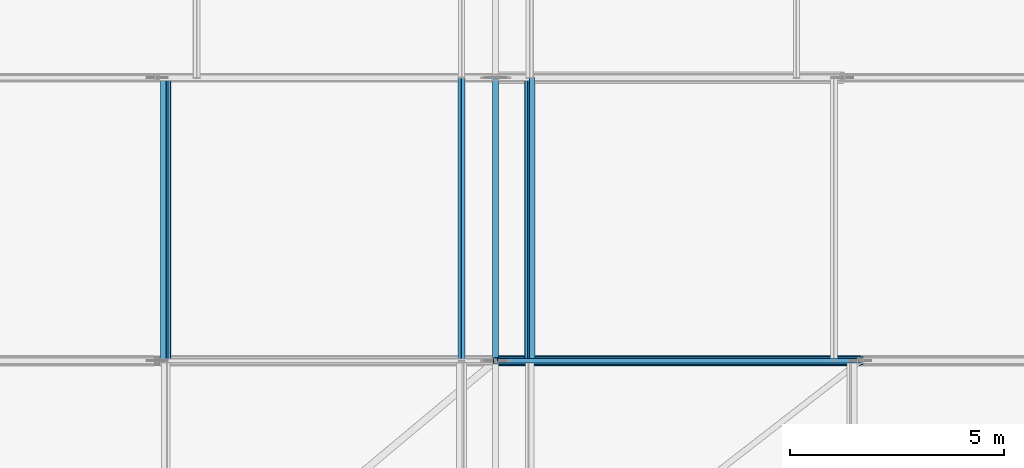
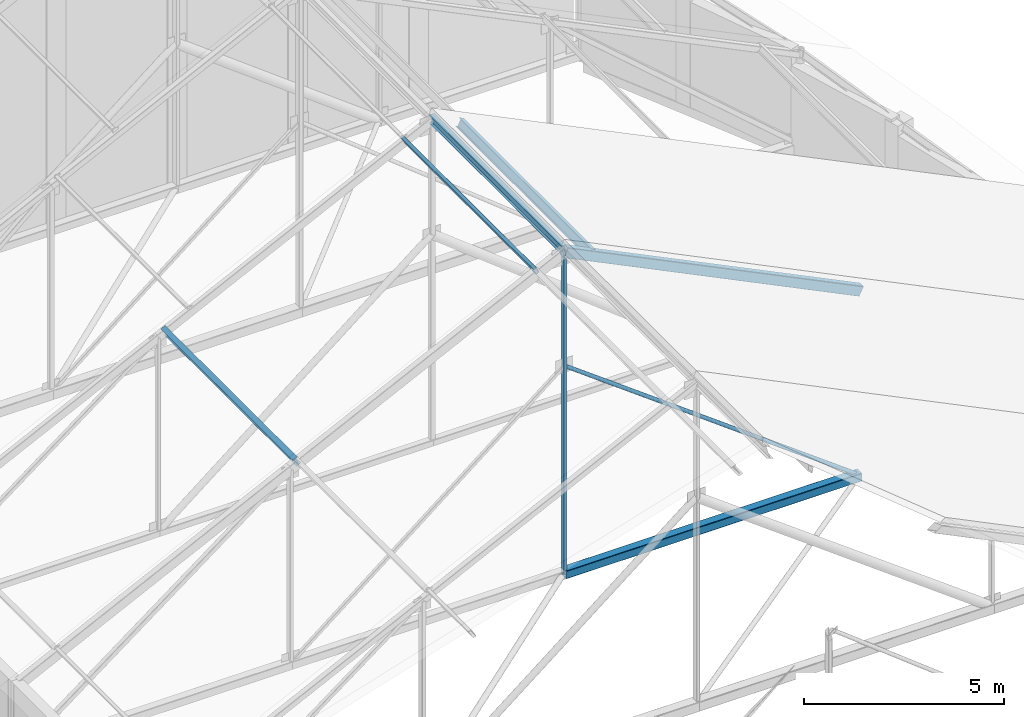
# One storey, part 31 of 78: 8 members.
"""IFC4 building model written with IfcOpenShell, lengths in metres."""

from ifc_helpers import new_model, si_unit, direction, frame, origin, origin_2d, place, context, subcontext, project, spatial, hollow_rectangle, hollow_circle, i_section, extrude, material, material_profile, profile_set, type_object, element, save


model = new_model("IFC4")

# Units and contexts
model_context = context("Model", 3, precision=1e-05, world=origin(), true_north=direction((0.0, 1.0)))
body_context = subcontext(model_context, "Body", "Model", "MODEL_VIEW")
ifc_project = project(units=[si_unit("LENGTHUNIT", "METRE"), si_unit("AREAUNIT", "SQUARE_METRE"), si_unit("VOLUMEUNIT", "CUBIC_METRE"), si_unit("PLANEANGLEUNIT", "RADIAN"), si_unit("MASSUNIT", "GRAM", prefix="KILO")], contexts=[model_context])

# Site, building, storey
site_placement = place(None, origin())
site = spatial("IfcSite", under=ifc_project, at=site_placement, CompositionType="ELEMENT")
building_placement = place(site_placement, origin())
building = spatial("IfcBuilding", under=site, at=building_placement, Name="Kelanivale Promenade Academy", CompositionType="ELEMENT")
storey_placement = place(building_placement, frame((0.0, 0.0, 16.199951171875)))
storey = spatial("IfcBuildingStorey", under=building, at=storey_placement, Name="L04", CompositionType="ELEMENT", Elevation=16.199951171875)

# Members
ifc_material = material(Name="Steel S355", Category="steel")
ifc_material_profile_1 = material_profile(ifc_material, i_section(OverallWidth=0.14599609375, OverallDepth=0.25146484375, WebThickness=0.006103515625, FlangeThickness=0.008544921875, FilletRadius=0.007568359375, at=origin_2d()), Name="UB 254x146x31")
ifc_profile_set_1 = profile_set([ifc_material_profile_1], Name="Steel S355")
member_type_1 = type_object("IfcMemberType", Name="PR-02 UB 254x146x31", PredefinedType="PURLIN", material=ifc_profile_set_1)
for number, where, z_axis, x_axis, name in (
    (1, (139.199951171875, 59.513916015625, 10.087158203125), (0.0, 1.0, 0.0), (-1.0, 0.0, 0.0), "Assembly Hall Arc Pavilion roof tie purlin PR-02"),
    (2, (131.47509765625, 59.513916015625, 6.303955078125), (0.0, 1.0, 0.0), (-0.898564392509, 0.0, -0.438841694139), "Assembly Hall Arc Pavilion roof purlin PR-02"),
    (3, (140.0, 59.513916015625, 9.68603515625), (0.0, 1.0, 0.0), (-0.898564392509, 0.0, 0.438841694139), "Assembly Hall Arc Pavilion roof purlin PR-02"),
):
    element("IfcMember", number, at=place(storey_placement, frame(where, z_axis=z_axis, x_axis=x_axis)), inside=storey, type_object=member_type_1, Name=name, PredefinedType="PURLIN", context=body_context, shape_type="SweptSolid", body=[
        extrude(i_section(OverallWidth=0.14599609375, OverallDepth=0.25146484375, WebThickness=0.006103515625, FlangeThickness=0.008544921875, FilletRadius=0.007568359375, at=origin_2d()), origin(), (0.0, 0.0, 1.0), 6.629150390625),
    ])
ifc_material_profile_2 = material_profile(ifc_material, hollow_rectangle(XDim=0.10009765625, YDim=0.199951171875, WallThickness=0.008056640625, InnerFilletRadius=0.008056640625, OuterFilletRadius=0.01611328125, at=origin_2d()), Name="RHS 200x100x8.0")
ifc_profile_set_2 = profile_set([ifc_material_profile_2], Name="Steel S355")
member_type_2 = type_object("IfcMemberType", Name="PR-03 RHS 200x100x8.0", PredefinedType="PURLIN", material=ifc_profile_set_2)
member_1_placement = place(storey_placement, frame((138.39990234375, 59.513916015625, 9.715087890625), z_axis=(0.0, 1.0, 0.0), x_axis=(-0.898564392509, 0.0, -0.438841694139)))
element("IfcMember", 4, at=member_1_placement, inside=storey, type_object=member_type_2, Name="Assembly Hall Arc Pavilion roof purlin PR-03", PredefinedType="PURLIN", context=body_context, shape_type="SweptSolid", body=[
    extrude(hollow_rectangle(XDim=0.10009765625, YDim=0.199951171875, WallThickness=0.008056640625, InnerFilletRadius=0.008056640625, OuterFilletRadius=0.01611328125, at=origin_2d()), origin(), (0.0, 0.0, 1.0), 6.629150390625),
])
ifc_material_profile_3 = material_profile(ifc_material, hollow_rectangle(XDim=0.25, YDim=0.25, WallThickness=0.012451171875, InnerFilletRadius=0.012451171875, OuterFilletRadius=0.02490234375, at=origin_2d()), Name="SHS 250x250x12.5")
ifc_profile_set_3 = profile_set([ifc_material_profile_3], Name="Steel S355")
member_type_3 = type_object("IfcMemberType", Name="TC-02 SHS 250x250x12.5", PredefinedType="CHORD", material=ifc_profile_set_3)
member_2_placement = place(storey_placement, frame((139.199951171875, 59.513916015625, 0.199951171875), z_axis=(1.0, 0.0, 0.0), x_axis=(0.0, 1.0, 0.0)))
element("IfcMember", 5, at=member_2_placement, inside=storey, type_object=member_type_3, Name="ROOF TRUSS AH-TR5 bottom chord 3", PredefinedType="CHORD", context=body_context, shape_type="SweptSolid", body=[
    extrude(hollow_rectangle(XDim=0.25, YDim=0.25, WallThickness=0.012451171875, InnerFilletRadius=0.012451171875, OuterFilletRadius=0.02490234375, at=origin_2d()), origin(), (0.0, 0.0, 1.0), 8.547119140625),
])
ifc_material_profile_4 = material_profile(ifc_material, hollow_rectangle(XDim=0.199951171875, YDim=0.300048828125, WallThickness=0.012451171875, InnerFilletRadius=0.012451171875, OuterFilletRadius=0.02490234375, at=origin_2d()), Name="RHS 300x200x12.5")
ifc_profile_set_4 = profile_set([ifc_material_profile_4], Name="Steel S355")
member_type_4 = type_object("IfcMemberType", Name="TC-05 RHS 300x200x12.5", PredefinedType="CHORD", material=ifc_profile_set_4)
member_3_placement = place(storey_placement, frame((139.199951171875, 59.513916015625, 10.0419921875), z_axis=(0.898581873428, 0.0, -0.438805898715), x_axis=(0.0, 1.0, 0.0)))
element("IfcMember", 6, at=member_3_placement, inside=storey, type_object=member_type_4, Name="ROOF TRUSS AH-TR5 top chord 3", PredefinedType="CHORD", context=body_context, shape_type="SweptSolid", body=[
    extrude(hollow_rectangle(XDim=0.199951171875, YDim=0.300048828125, WallThickness=0.012451171875, InnerFilletRadius=0.012451171875, OuterFilletRadius=0.02490234375, at=origin_2d()), origin(), (0.0, 0.0, 1.0), 9.51171875),
])
ifc_material_profile_5 = material_profile(ifc_material, hollow_circle(Radius=0.05712890625, WallThickness=0.00634765625, at=origin_2d()), Name="CHS 114.3x6.3")
ifc_profile_set_5 = profile_set([ifc_material_profile_5], Name="Steel S355")
member_type_5 = type_object("IfcMemberType", Name="TD-06 CHS 114.3x6.3", PredefinedType="BRACE", material=ifc_profile_set_5)
member_4_placement = place(storey_placement, frame((147.7470703125, 59.513916015625, 0.199951171875), z_axis=(-0.803157518053, 0.0, 0.595766733877), x_axis=(0.0, -1.0, 0.0)))
element("IfcMember", 7, at=member_4_placement, inside=storey, type_object=member_type_5, Name="ROOF TRUSS AH-TR5 web diagonal 3", PredefinedType="BRACE", context=body_context, shape_type="SweptSolid", body=[
    extrude(hollow_circle(Radius=0.05712890625, WallThickness=0.00634765625, at=origin_2d()), origin(), (0.0, 0.0, 1.0), 10.641845703125),
])
ifc_material_profile_6 = material_profile(ifc_material, hollow_rectangle(XDim=0.10009765625, YDim=0.14990234375, WallThickness=0.008056640625, InnerFilletRadius=0.008056640625, OuterFilletRadius=0.01611328125, at=origin_2d()), Name="RHS 150x100x8.0")
ifc_profile_set_6 = profile_set([ifc_material_profile_6], Name="Steel S355")
member_type_6 = type_object("IfcMemberType", Name="TV-03 RHS 150x100x8.0", PredefinedType="STRUT", material=ifc_profile_set_6)
member_5_placement = place(storey_placement, frame((139.199951171875, 59.513916015625, 0.199951171875), z_axis=(0.0, 0.0, 1.0), x_axis=(1.0, 0.0, 0.0)))
element("IfcMember", 8, at=member_5_placement, inside=storey, type_object=member_type_6, Name="ROOF TRUSS AH-TR5 vertical strut 2", PredefinedType="STRUT", context=body_context, shape_type="SweptSolid", body=[
    extrude(hollow_rectangle(XDim=0.10009765625, YDim=0.14990234375, WallThickness=0.008056640625, InnerFilletRadius=0.008056640625, OuterFilletRadius=0.01611328125, at=origin_2d()), origin(), (0.0, 0.0, 1.0), 9.842041015625),
])

save(model, "model.ifc")
